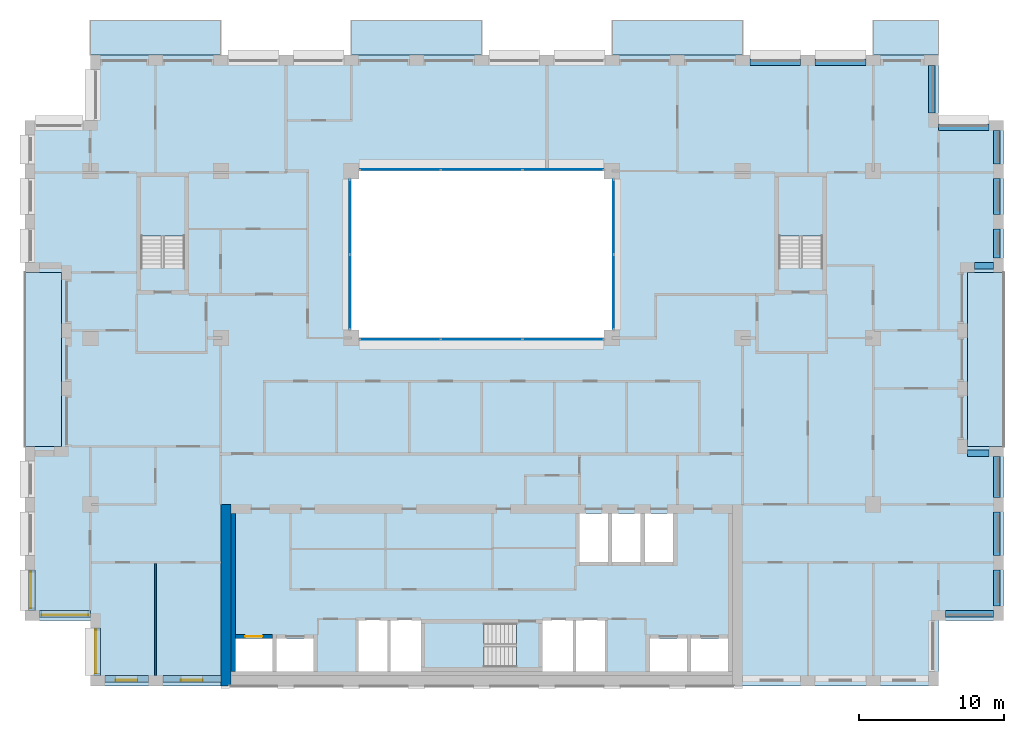
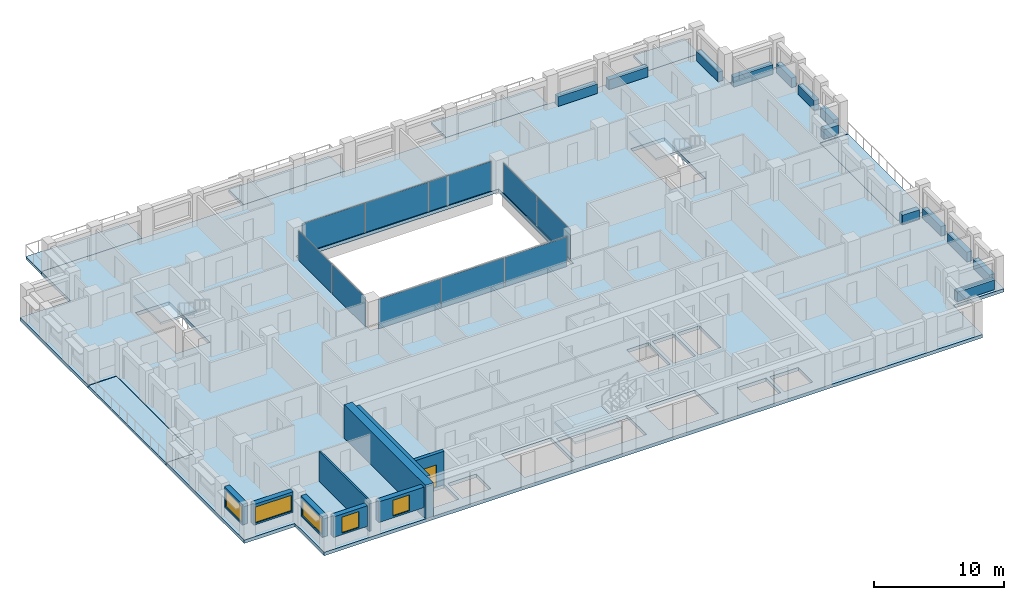
# One storey, part 7 of 16: 13 beams, 10 plates, 10 slabs, 9 walls, 5 windows, 1 door, 6 openings, 7 elements without a shape of their own.
"""IFC4 building model written with IfcOpenShell, lengths in metres."""

from ifc_helpers import new_model, si_unit, direction, frame, frame_2d, origin, origin_2d, place, context, subcontext, project, spatial, polyline, rectangle, outline, extrude, material, layer, layer_set, material_profile, profile_set, type_object, element, fill, aggregate, save


model = new_model("IFC4")

# Units and contexts
model_context = context("Model", 3, precision=1e-05, world=origin(), true_north=direction((0.0, 1.0)))
body_context = subcontext(model_context, "Body", "Model", "MODEL_VIEW")
ifc_project = project(units=[si_unit("LENGTHUNIT", "METRE"), si_unit("AREAUNIT", "SQUARE_METRE"), si_unit("VOLUMEUNIT", "CUBIC_METRE"), si_unit("PLANEANGLEUNIT", "RADIAN"), si_unit("MASSUNIT", "GRAM", prefix="KILO")], contexts=[model_context])

# Site, building, storey
site_placement = place(None, origin())
site = spatial("IfcSite", under=ifc_project, at=site_placement, CompositionType="ELEMENT")
building_placement = place(site_placement, origin())
building = spatial("IfcBuilding", under=site, at=building_placement, Name="Brigalow Station Residences", CompositionType="ELEMENT")
storey_placement = place(building_placement, frame((0.0, 0.0, 179.10009765625)))
storey = spatial("IfcBuildingStorey", under=building, at=storey_placement, Name="L52", CompositionType="ELEMENT", Elevation=179.10009765625)

# Beams
ifc_material_1 = material(Name="Concrete C50", Category="concrete")
ifc_material_profile = material_profile(ifc_material_1, rectangle(XDim=0.449951171875, YDim=0.89990234375, at=origin_2d()), Name="RC450x900")
ifc_profile_set = profile_set([ifc_material_profile], Name="Concrete C50")
beam_type = type_object("IfcBeamType", Name="SPANDREL BEAM 450x900 C50", PredefinedType="SPANDREL", material=ifc_profile_set)
beam_1_placement = place(storey_placement, frame((68.0, 4.97509765625, 0.449951171875), z_axis=(1.0, 0.0, 0.0), x_axis=(0.0, 1.0, 0.0)))
element("IfcBeam", 1, at=beam_1_placement, inside=storey, type_object=beam_type, Name="L52/spandrel/W-L52-8", PredefinedType="SPANDREL", context=body_context, shape_type="SweptSolid", body=[
    extrude(rectangle(XDim=0.449951171875, YDim=0.89990234375, at=origin_2d()), origin(), (0.0, 0.0, 1.0), 3.300048828125),
])
beam_2_placement = place(storey_placement, frame((71.52490234375, 5.5, 0.449951171875), z_axis=(0.0, 1.0, 0.0), x_axis=(-1.0, 0.0, 0.0)))
element("IfcBeam", 2, at=beam_2_placement, inside=storey, type_object=beam_type, Name="L52/spandrel/W-L52-9", PredefinedType="SPANDREL", context=body_context, shape_type="SweptSolid", body=[
    extrude(rectangle(XDim=0.449951171875, YDim=0.89990234375, at=origin_2d()), origin(), (0.0, 0.0, 1.0), 2.5),
])
beam_3_placement = place(storey_placement, frame((71.52490234375, 9.0, 0.449951171875), z_axis=(0.0, 1.0, 0.0), x_axis=(-1.0, 0.0, 0.0)))
element("IfcBeam", 3, at=beam_3_placement, inside=storey, type_object=beam_type, Name="L52/spandrel/W-L52-10", PredefinedType="SPANDREL", context=body_context, shape_type="SweptSolid", body=[
    extrude(rectangle(XDim=0.449951171875, YDim=0.89990234375, at=origin_2d()), origin(), (0.0, 0.0, 1.0), 3.0),
])
beam_4_placement = place(storey_placement, frame((71.52490234375, 13.0, 0.449951171875), z_axis=(0.0, 1.0, 0.0), x_axis=(-1.0, 0.0, 0.0)))
element("IfcBeam", 4, at=beam_4_placement, inside=storey, type_object=beam_type, Name="L52/spandrel/W-L52-11", PredefinedType="SPANDREL", context=body_context, shape_type="SweptSolid", body=[
    extrude(rectangle(XDim=0.449951171875, YDim=0.89990234375, at=origin_2d()), origin(), (0.0, 0.0, 1.0), 2.800048828125),
])
beam_5_placement = place(storey_placement, frame((71.0, 16.02490234375, 0.449951171875), z_axis=(-1.0, 0.0, 0.0), x_axis=(0.0, -1.0, 0.0)))
element("IfcBeam", 5, at=beam_5_placement, inside=storey, type_object=beam_type, Name="L52/spandrel/W-L52-12", PredefinedType="SPANDREL", context=body_context, shape_type="SweptSolid", body=[
    extrude(rectangle(XDim=0.449951171875, YDim=0.89990234375, at=origin_2d()), origin(), (0.0, 0.0, 1.0), 1.5),
])
beam_6_placement = place(storey_placement, frame((70.0, 28.97509765625, 0.449951171875), z_axis=(1.0, 0.0, 0.0), x_axis=(0.0, 1.0, 0.0)))
element("IfcBeam", 6, at=beam_6_placement, inside=storey, type_object=beam_type, Name="L52/spandrel/W-L52-16", PredefinedType="SPANDREL", context=body_context, shape_type="SweptSolid", body=[
    extrude(rectangle(XDim=0.449951171875, YDim=0.89990234375, at=origin_2d()), origin(), (0.0, 0.0, 1.0), 1.300048828125),
])
beam_7_placement = place(storey_placement, frame((71.52490234375, 29.5, 0.449951171875), z_axis=(0.0, 1.0, 0.0), x_axis=(-1.0, 0.0, 0.0)))
element("IfcBeam", 7, at=beam_7_placement, inside=storey, type_object=beam_type, Name="L52/spandrel/W-L52-17", PredefinedType="SPANDREL", context=body_context, shape_type="SweptSolid", body=[
    extrude(rectangle(XDim=0.449951171875, YDim=0.89990234375, at=origin_2d()), origin(), (0.0, 0.0, 1.0), 2.0),
])
beam_8_placement = place(storey_placement, frame((71.52490234375, 32.5, 0.449951171875), z_axis=(0.0, 1.0, 0.0), x_axis=(-1.0, 0.0, 0.0)))
element("IfcBeam", 8, at=beam_8_placement, inside=storey, type_object=beam_type, Name="L52/spandrel/W-L52-18", PredefinedType="SPANDREL", context=body_context, shape_type="SweptSolid", body=[
    extrude(rectangle(XDim=0.449951171875, YDim=0.89990234375, at=origin_2d()), origin(), (0.0, 0.0, 1.0), 2.5),
])
beam_9_placement = place(storey_placement, frame((71.52490234375, 36.0, 0.449951171875), z_axis=(0.0, 1.0, 0.0), x_axis=(-1.0, 0.0, 0.0)))
element("IfcBeam", 9, at=beam_9_placement, inside=storey, type_object=beam_type, Name="L52/spandrel/W-L52-19", PredefinedType="SPANDREL", context=body_context, shape_type="SweptSolid", body=[
    extrude(rectangle(XDim=0.449951171875, YDim=0.89990234375, at=origin_2d()), origin(), (0.0, 0.0, 1.0), 2.300048828125),
])
beam_10_placement = place(storey_placement, frame((71.0, 38.52490234375, 0.449951171875), z_axis=(-1.0, 0.0, 0.0), x_axis=(0.0, -1.0, 0.0)))
element("IfcBeam", 10, at=beam_10_placement, inside=storey, type_object=beam_type, Name="L52/spandrel/W-L52-20", PredefinedType="SPANDREL", context=body_context, shape_type="SweptSolid", body=[
    extrude(rectangle(XDim=0.449951171875, YDim=0.89990234375, at=origin_2d()), origin(), (0.0, 0.0, 1.0), 3.5),
])
beam_11_placement = place(storey_placement, frame((67.02490234375, 39.5, 0.449951171875), z_axis=(0.0, 1.0, 0.0), x_axis=(-1.0, 0.0, 0.0)))
element("IfcBeam", 11, at=beam_11_placement, inside=storey, type_object=beam_type, Name="L52/spandrel/W-L52-21", PredefinedType="SPANDREL", context=body_context, shape_type="SweptSolid", body=[
    extrude(rectangle(XDim=0.449951171875, YDim=0.89990234375, at=origin_2d()), origin(), (0.0, 0.0, 1.0), 3.300048828125),
])
for number, where, z_axis, x_axis, name in (
    (12, (62.5, 43.02490234375, 0.449951171875), (-1.0, 0.0, 0.0), (0.0, -1.0, 0.0), "L52/spandrel/W-L52-23"),
    (13, (58.0, 43.02490234375, 0.449951171875), (-1.0, 0.0, 0.0), (0.0, -1.0, 0.0), "L52/spandrel/W-L52-24"),
):
    element("IfcBeam", number, at=place(storey_placement, frame(where, z_axis=z_axis, x_axis=x_axis)), inside=storey, type_object=beam_type, Name=name, PredefinedType="SPANDREL", context=body_context, shape_type="SweptSolid", body=[
        extrude(rectangle(XDim=0.449951171875, YDim=0.89990234375, at=origin_2d()), origin(), (0.0, 0.0, 1.0), 3.5),
    ])

# Curtain wall, plates
ifc_material_2 = material(Name="Aluminium", Category="aluminium")
ifc_layer_1 = layer(ifc_material_2, 0.14990234375)
ifc_layer_set_1 = layer_set([ifc_layer_1], Name="ATRIUM FIRE-RATED GLAZING CURTAIN WALL")
curtain_wall_type = type_object("IfcCurtainWallType", Name="ATRIUM FIRE-RATED GLAZING CURTAIN WALL", PredefinedType="NOTDEFINED", material=ifc_layer_set_1)
curtain_wall_1_placement = place(storey_placement, origin())
curtain_wall_1 = element("IfcCurtainWall", 14, at=curtain_wall_1_placement, inside=storey, type_object=curtain_wall_type, Name="L52/cw/atrium-S", PredefinedType="NOTDEFINED")
ifc_material_3 = material(Name="Fire-resisting laminated glazing, FRL -/60/-", Category="glass")
ifc_layer_2 = layer(ifc_material_3, 0.031982421875)
ifc_layer_set_2 = layer_set([ifc_layer_2], Name="ATRIUM FIRE-RATED GLAZING PANEL 32")
plate_type = type_object("IfcPlateType", Name="ATRIUM FIRE-RATED GLAZING PANEL 32", PredefinedType="CURTAIN_PANEL", material=ifc_layer_set_2)
plate_1_placement = place(storey_placement, frame((30.381591796875, 23.89990234375, 0.0), z_axis=(0.0, 0.0, 1.0), x_axis=(1.0, 0.0, 0.0)))
plate_1 = element("IfcPlate", 15, at=plate_1_placement, type_object=plate_type, Name="L52/cw/atrium-S/P00-00", PredefinedType="CURTAIN_PANEL", context=body_context, shape_type="SweptSolid", body=[
    extrude(rectangle(XDim=5.543212890625, YDim=0.031982421875, at=origin_2d()), origin(), (0.0, 0.0, 1.0), 2.77001953125),
])
plate_2_placement = place(storey_placement, frame((36.0, 23.89990234375, 0.0), z_axis=(0.0, 0.0, 1.0), x_axis=(1.0, 0.0, 0.0)))
plate_2 = element("IfcPlate", 16, at=plate_2_placement, type_object=plate_type, Name="L52/cw/atrium-S/P01-00", PredefinedType="CURTAIN_PANEL", context=body_context, shape_type="SweptSolid", body=[
    extrude(rectangle(XDim=5.5732421875, YDim=0.031982421875, at=origin_2d()), origin(), (0.0, 0.0, 1.0), 2.77001953125),
])
plate_3_placement = place(storey_placement, frame((41.618408203125, 23.89990234375, 0.0), z_axis=(0.0, 0.0, 1.0), x_axis=(1.0, 0.0, 0.0)))
plate_3 = element("IfcPlate", 17, at=plate_3_placement, type_object=plate_type, Name="L52/cw/atrium-S/P02-00", PredefinedType="CURTAIN_PANEL", context=body_context, shape_type="SweptSolid", body=[
    extrude(rectangle(XDim=5.543212890625, YDim=0.031982421875, at=origin_2d()), origin(), (0.0, 0.0, 1.0), 2.77001953125),
])
aggregate(curtain_wall_1, [plate_1, plate_2, plate_3])

curtain_wall_2_placement = place(storey_placement, origin())
curtain_wall_2 = element("IfcCurtainWall", 18, at=curtain_wall_2_placement, inside=storey, type_object=curtain_wall_type, Name="L52/cw/atrium-E", PredefinedType="NOTDEFINED")
plate_4_placement = place(storey_placement, frame((45.10009765625, 27.1650390625, 0.0), z_axis=(0.0, 0.0, 1.0), x_axis=(0.0, 1.0, 0.0)))
plate_4 = element("IfcPlate", 19, at=plate_4_placement, type_object=plate_type, Name="L52/cw/atrium-E/P00-00", PredefinedType="CURTAIN_PANEL", context=body_context, shape_type="SweptSolid", body=[
    extrude(rectangle(XDim=5.110107421875, YDim=0.031982421875, at=origin_2d()), origin(), (0.0, 0.0, 1.0), 2.77001953125),
])
plate_5_placement = place(storey_placement, frame((45.10009765625, 32.3349609375, 0.0), z_axis=(0.0, 0.0, 1.0), x_axis=(0.0, 1.0, 0.0)))
plate_5 = element("IfcPlate", 20, at=plate_5_placement, type_object=plate_type, Name="L52/cw/atrium-E/P01-00", PredefinedType="CURTAIN_PANEL", context=body_context, shape_type="SweptSolid", body=[
    extrude(rectangle(XDim=5.110107421875, YDim=0.031982421875, at=origin_2d()), origin(), (0.0, 0.0, 1.0), 2.77001953125),
])
aggregate(curtain_wall_2, [plate_4, plate_5])

curtain_wall_3_placement = place(storey_placement, origin())
curtain_wall_3 = element("IfcCurtainWall", 21, at=curtain_wall_3_placement, inside=storey, type_object=curtain_wall_type, Name="L52/cw/atrium-N", PredefinedType="NOTDEFINED")
plate_6_placement = place(storey_placement, frame((41.618408203125, 35.60009765625, 0.0), z_axis=(0.0, 0.0, 1.0), x_axis=(-1.0, 0.0, 0.0)))
plate_6 = element("IfcPlate", 22, at=plate_6_placement, type_object=plate_type, Name="L52/cw/atrium-N/P00-00", PredefinedType="CURTAIN_PANEL", context=body_context, shape_type="SweptSolid", body=[
    extrude(rectangle(XDim=5.543212890625, YDim=0.031982421875, at=origin_2d()), origin(), (0.0, 0.0, 1.0), 2.77001953125),
])
plate_7_placement = place(storey_placement, frame((36.0, 35.60009765625, 0.0), z_axis=(0.0, 0.0, 1.0), x_axis=(-1.0, 0.0, 0.0)))
plate_7 = element("IfcPlate", 23, at=plate_7_placement, type_object=plate_type, Name="L52/cw/atrium-N/P01-00", PredefinedType="CURTAIN_PANEL", context=body_context, shape_type="SweptSolid", body=[
    extrude(rectangle(XDim=5.5732421875, YDim=0.031982421875, at=origin_2d()), origin(), (0.0, 0.0, 1.0), 2.77001953125),
])
plate_8_placement = place(storey_placement, frame((30.381591796875, 35.60009765625, 0.0), z_axis=(0.0, 0.0, 1.0), x_axis=(-1.0, 0.0, 0.0)))
plate_8 = element("IfcPlate", 24, at=plate_8_placement, type_object=plate_type, Name="L52/cw/atrium-N/P02-00", PredefinedType="CURTAIN_PANEL", context=body_context, shape_type="SweptSolid", body=[
    extrude(rectangle(XDim=5.543212890625, YDim=0.031982421875, at=origin_2d()), origin(), (0.0, 0.0, 1.0), 2.77001953125),
])
aggregate(curtain_wall_3, [plate_6, plate_7, plate_8])

curtain_wall_4_placement = place(storey_placement, origin())
curtain_wall_4 = element("IfcCurtainWall", 25, at=curtain_wall_4_placement, inside=storey, type_object=curtain_wall_type, Name="L52/cw/atrium-W", PredefinedType="NOTDEFINED")
plate_9_placement = place(storey_placement, frame((26.89990234375, 32.3349609375, 0.0), z_axis=(0.0, 0.0, 1.0), x_axis=(0.0, -1.0, 0.0)))
plate_9 = element("IfcPlate", 26, at=plate_9_placement, type_object=plate_type, Name="L52/cw/atrium-W/P00-00", PredefinedType="CURTAIN_PANEL", context=body_context, shape_type="SweptSolid", body=[
    extrude(rectangle(XDim=5.110107421875, YDim=0.031982421875, at=origin_2d()), origin(), (0.0, 0.0, 1.0), 2.77001953125),
])
plate_10_placement = place(storey_placement, frame((26.89990234375, 27.1650390625, 0.0), z_axis=(0.0, 0.0, 1.0), x_axis=(0.0, -1.0, 0.0)))
plate_10 = element("IfcPlate", 27, at=plate_10_placement, type_object=plate_type, Name="L52/cw/atrium-W/P01-00", PredefinedType="CURTAIN_PANEL", context=body_context, shape_type="SweptSolid", body=[
    extrude(rectangle(XDim=5.110107421875, YDim=0.031982421875, at=origin_2d()), origin(), (0.0, 0.0, 1.0), 2.77001953125),
])
aggregate(curtain_wall_4, [plate_9, plate_10])

# Slabs
ifc_material_4 = material(Name="Concrete C50 precast", Category="concrete")
ifc_layer_3 = layer(ifc_material_4, 0.25)
ifc_layer_set_3 = layer_set([ifc_layer_3], Name="BALCONY SLAB 250")
slab_type_1 = type_object("IfcSlabType", Name="BALCONY SLAB 250", PredefinedType="USERDEFINED", material=ifc_layer_set_3)
slab_1_placement = place(storey_placement, frame((0.0, 0.0, -0.2900390625)))
element("IfcSlab", 28, at=slab_1_placement, inside=storey, type_object=slab_type_1, Name="L52/balcony/1", ObjectType="BALCONY", PredefinedType="USERDEFINED", context=body_context, shape_type="SweptSolid", body=[
    extrude(outline(polyline([(69.5, 16.5), (72.0, 16.5), (72.0, 28.5), (69.5, 28.5), (69.5, 16.5)])), origin(), (0.0, 0.0, 1.0), 0.25),
])
slab_2_placement = place(storey_placement, frame((0.0, 0.0, -0.2900390625)))
element("IfcSlab", 29, at=slab_2_placement, inside=storey, type_object=slab_type_1, Name="L52/balcony/2", ObjectType="BALCONY", PredefinedType="USERDEFINED", context=body_context, shape_type="SweptSolid", body=[
    extrude(outline(polyline([(67.5, 43.5), (67.5, 45.89990234375), (63.0, 45.89990234375), (63.0, 43.5), (67.5, 43.5)])), origin(), (0.0, 0.0, 1.0), 0.25),
])
slab_3_placement = place(storey_placement, frame((0.0, 0.0, -0.2900390625)))
element("IfcSlab", 30, at=slab_3_placement, inside=storey, type_object=slab_type_1, Name="L52/balcony/3", ObjectType="BALCONY", PredefinedType="USERDEFINED", context=body_context, shape_type="SweptSolid", body=[
    extrude(outline(polyline([(54.0, 43.5), (54.0, 45.89990234375), (45.0, 45.89990234375), (45.0, 43.5), (54.0, 43.5)])), origin(), (0.0, 0.0, 1.0), 0.25),
])
slab_4_placement = place(storey_placement, frame((0.0, 0.0, -0.2900390625)))
element("IfcSlab", 31, at=slab_4_placement, inside=storey, type_object=slab_type_1, Name="L52/balcony/4", ObjectType="BALCONY", PredefinedType="USERDEFINED", context=body_context, shape_type="SweptSolid", body=[
    extrude(outline(polyline([(36.0, 43.5), (36.0, 45.89990234375), (27.0, 45.89990234375), (27.0, 43.5), (36.0, 43.5)])), origin(), (0.0, 0.0, 1.0), 0.25),
])
slab_5_placement = place(storey_placement, frame((0.0, 0.0, -0.2900390625)))
element("IfcSlab", 32, at=slab_5_placement, inside=storey, type_object=slab_type_1, Name="L52/balcony/5", ObjectType="BALCONY", PredefinedType="USERDEFINED", context=body_context, shape_type="SweptSolid", body=[
    extrude(outline(polyline([(18.0, 43.5), (18.0, 45.89990234375), (9.0, 45.89990234375), (9.0, 43.5), (18.0, 43.5)])), origin(), (0.0, 0.0, 1.0), 0.25),
])
slab_6_placement = place(storey_placement, frame((0.0, 0.0, -0.2900390625)))
element("IfcSlab", 33, at=slab_6_placement, inside=storey, type_object=slab_type_1, Name="L52/balcony/6", ObjectType="BALCONY", PredefinedType="USERDEFINED", context=body_context, shape_type="SweptSolid", body=[
    extrude(outline(polyline([(7.0, 28.5), (4.5, 28.5), (4.5, 16.5), (7.0, 16.5), (7.0, 28.5)])), origin(), (0.0, 0.0, 1.0), 0.25),
])
ifc_material_5 = material(Name="Concrete C50", Category="concrete")
ifc_layer_4 = layer(ifc_material_5, 0.320068359375)
ifc_layer_set_4 = layer_set([ifc_layer_4], Name="POST-TENSIONED FLAT PLATE 320 C50")
slab_type_2 = type_object("IfcSlabType", Name="POST-TENSIONED FLAT PLATE 320 C50", PredefinedType="FLOOR", material=ifc_layer_set_4)
slab_7_placement = place(storey_placement, frame((0.0, 0.0, -0.320068359375)))
element("IfcSlab", 34, at=slab_7_placement, inside=storey, type_object=slab_type_2, Name="FLOOR SLAB L52", PredefinedType="FLOOR", context=body_context, shape_type="SweptSolid", body=[
    extrude(outline(polyline([(9.0, 0.0), (67.5, 0.0), (67.5, 4.5), (72.0, 4.5), (72.0, 16.5), (69.5, 16.5), (69.5, 28.5), (72.0, 28.5), (72.0, 39.0), (67.5, 39.0), (67.5, 43.5), (9.0, 43.5), (9.0, 39.0), (4.5, 39.0), (4.5, 28.5), (7.0, 28.5), (7.0, 16.5), (4.5, 16.5), (4.5, 4.5), (9.0, 4.5), (9.0, 0.0)]), holes=[polyline([(12.5048828125, 35.094970703125), (15.4951171875, 35.094970703125), (15.4951171875, 28.804931640625), (12.5048828125, 28.804931640625), (12.5048828125, 35.094970703125)]), polyline([(19.0, 1.0), (19.0, 3.25), (21.550048828125, 3.25), (21.550048828125, 1.0), (19.0, 1.0)]), polyline([(21.85009765625, 3.25), (24.39990234375, 3.25), (24.39990234375, 1.0), (21.85009765625, 1.0), (21.85009765625, 3.25)]), polyline([(27.0, 35.5), (45.0, 35.5), (45.0, 24.0), (27.0, 24.0), (27.0, 35.5)]), polyline([(29.60009765625, 4.60009765625), (31.800048828125, 4.60009765625), (31.800048828125, 1.0), (29.60009765625, 1.0), (27.39990234375, 1.0), (27.39990234375, 4.60009765625), (29.60009765625, 4.60009765625)]), polyline([(32.10498046875, 4.294921875), (38.39501953125, 4.294921875), (38.39501953125, 1.304931640625), (32.10498046875, 1.304931640625), (32.10498046875, 4.294921875)]), polyline([(40.199951171875, 4.60009765625), (42.39990234375, 4.60009765625), (44.60009765625, 4.60009765625), (44.60009765625, 1.0), (42.39990234375, 1.0), (40.199951171875, 1.0), (40.199951171875, 4.60009765625)]), polyline([(42.75, 11.89990234375), (44.699951171875, 11.89990234375), (44.699951171875, 8.550048828125), (42.75, 8.550048828125), (42.75, 11.89990234375)]), polyline([(45.0, 11.89990234375), (46.949951171875, 11.89990234375), (46.949951171875, 8.550048828125), (45.0, 8.550048828125), (45.0, 11.89990234375)]), polyline([(47.25, 11.89990234375), (49.199951171875, 11.89990234375), (49.199951171875, 8.550048828125), (47.25, 8.550048828125), (47.25, 11.89990234375)]), polyline([(47.60009765625, 3.25), (50.14990234375, 3.25), (50.14990234375, 1.0), (47.60009765625, 1.0), (47.60009765625, 3.25)]), polyline([(50.449951171875, 3.25), (53.0, 3.25), (53.0, 1.0), (50.449951171875, 1.0), (50.449951171875, 3.25)]), polyline([(56.5048828125, 35.094970703125), (59.4951171875, 35.094970703125), (59.4951171875, 28.804931640625), (56.5048828125, 28.804931640625), (56.5048828125, 35.094970703125)])]), origin(), (0.0, 0.0, 1.0), 0.320068359375),
])

# Stair, slab
ifc_material_6 = material(Name="Concrete C50", Category="concrete")
stair_type = type_object("IfcStairType", Name="EXIT STAIR 1400 2 FLIGHT", PredefinedType="HALF_TURN_STAIR", material=ifc_material_6)
stair_1_placement = place(storey_placement, origin())
stair_1 = element("IfcStair", 35, at=stair_1_placement, inside=storey, type_object=stair_type, Name="EXIT STAIR S2 L52", PredefinedType="HALF_TURN_STAIR")
ifc_material_7 = material(Name="Concrete C50", Category="concrete")
ifc_layer_5 = layer(ifc_material_7, 0.199951171875)
ifc_layer_set_5 = layer_set([ifc_layer_5], Name="STAIR LANDING 200")
slab_type_3 = type_object("IfcSlabType", Name="STAIR LANDING 200", PredefinedType="LANDING", material=ifc_layer_set_5)
slab_8_placement = place(storey_placement, frame((0.0, 0.0, 1.375)))
slab_8 = element("IfcSlab", 36, at=slab_8_placement, type_object=slab_type_3, Name="ST-2 landing 1", PredefinedType="LANDING", context=body_context, shape_type="SweptSolid", body=[
    extrude(outline(polyline([(32.0, 1.199951171875), (36.159912109375, 1.199951171875), (36.159912109375, 4.39990234375), (32.0, 4.39990234375), (32.0, 1.199951171875)])), origin(), (0.0, 0.0, 1.0), 0.199951171875),
])
aggregate(stair_1, [slab_8])

stair_2_placement = place(storey_placement, origin())
stair_2 = element("IfcStair", 37, at=stair_2_placement, inside=storey, type_object=stair_type, Name="EXIT STAIR S1 L52", PredefinedType="HALF_TURN_STAIR")
slab_9_placement = place(storey_placement, frame((0.0, 0.0, 1.375)))
slab_9 = element("IfcSlab", 38, at=slab_9_placement, type_object=slab_type_3, Name="ST-1 landing 1", PredefinedType="LANDING", context=body_context, shape_type="SweptSolid", body=[
    extrude(outline(polyline([(12.39990234375, 31.0400390625), (15.60009765625, 31.0400390625), (15.60009765625, 35.199951171875), (12.39990234375, 35.199951171875), (12.39990234375, 31.0400390625)])), origin(), (0.0, 0.0, 1.0), 0.199951171875),
])
aggregate(stair_2, [slab_9])

stair_3_placement = place(storey_placement, origin())
stair_3 = element("IfcStair", 39, at=stair_3_placement, inside=storey, type_object=stair_type, Name="EXIT STAIR S3 L52", PredefinedType="HALF_TURN_STAIR")
slab_10_placement = place(storey_placement, frame((0.0, 0.0, 1.375)))
slab_10 = element("IfcSlab", 40, at=slab_10_placement, type_object=slab_type_3, Name="ST-3 landing 1", PredefinedType="LANDING", context=body_context, shape_type="SweptSolid", body=[
    extrude(outline(polyline([(56.39990234375, 31.0400390625), (59.60009765625, 31.0400390625), (59.60009765625, 35.199951171875), (56.39990234375, 35.199951171875), (56.39990234375, 31.0400390625)])), origin(), (0.0, 0.0, 1.0), 0.199951171875),
])
aggregate(stair_3, [slab_10])

# Wall, opening, window
ifc_material_8 = material(Name="Clay brick masonry", Category="masonry")
ifc_layer_6 = layer(ifc_material_8, 0.449951171875)
ifc_layer_set_6 = layer_set([ifc_layer_6], Name="BRICK INFILL WALL 450")
wall_type_1 = type_object("IfcWallType", Name="BRICK INFILL WALL 450", PredefinedType="SOLIDWALL", material=ifc_layer_set_6)
wall_1_placement = place(storey_placement, frame((10.0, 0.47509765625, 0.89990234375), z_axis=(0.0, 0.0, 1.0), x_axis=(1.0, 0.0, 0.0)))
wall_1 = element("IfcWall", 41, at=wall_1_placement, inside=storey, type_object=wall_type_1, Name="L52/ewall/W-L52-1", PredefinedType="SOLIDWALL", context=body_context, shape_type="SweptSolid", body=[
    extrude(rectangle(XDim=3.0, YDim=0.449951171875, at=frame_2d((1.5, 0.0))), origin(), (0.0, 0.0, 1.0), 1.929931640625),
])
opening_1_placement = place(wall_1_placement, frame((0.75, 0.0, 0.14990234375)))
opening_1 = element("IfcOpeningElement", 42, at=opening_1_placement, cuts=wall_1, Name="Opening WT-1", PredefinedType="OPENING", context=body_context, shape_type="SweptSolid", body=[
    extrude(rectangle(XDim=1.5, YDim=1.5, at=frame_2d((0.75, 0.75))), frame((0.0, 0.23486328125, 0.0), z_axis=(0.0, -1.0, 0.0), x_axis=(1.0, 0.0, 0.0)), (0.0, 0.0, 1.0), 0.469970703125),
])
ifc_material_9 = material(Name="Anodised aluminium frame with double glazing", Category="aluminium")
window_type_1 = type_object("IfcWindowType", Name="WINDOW 1500x1500", PartitioningType="SINGLE_PANEL", PredefinedType="WINDOW", material=ifc_material_9)
window_1_placement = place(opening_1_placement, origin())
window_1 = element("IfcWindow", 43, at=window_1_placement, inside=storey, type_object=window_type_1, Name="L52/window/W-L52-1", OverallHeight=1.5, OverallWidth=1.5, PartitioningType="SINGLE_PANEL", PredefinedType="WINDOW", context=body_context, shape_type="SweptSolid", body=[
    extrude(rectangle(XDim=1.5, YDim=1.5, at=frame_2d((0.75, 0.75))), frame((0.0, -0.06494140625, 0.0), z_axis=(0.0, -1.0, 0.0), x_axis=(1.0, 0.0, 0.0)), (0.0, 0.0, 1.0), 0.06005859375),
])
fill(opening_1, window_1)

wall_2_placement = place(storey_placement, frame((14.0, 0.47509765625, 0.89990234375), z_axis=(0.0, 0.0, 1.0), x_axis=(1.0, 0.0, 0.0)))
wall_2 = element("IfcWall", 44, at=wall_2_placement, inside=storey, type_object=wall_type_1, Name="L52/ewall/W-L52-2", PredefinedType="SOLIDWALL", context=body_context, shape_type="SweptSolid", body=[
    extrude(rectangle(XDim=4.0, YDim=0.449951171875, at=frame_2d((2.0, 0.0))), origin(), (0.0, 0.0, 1.0), 1.929931640625),
])
opening_2_placement = place(wall_2_placement, frame((1.25, 0.0, 0.14990234375)))
opening_2 = element("IfcOpeningElement", 45, at=opening_2_placement, cuts=wall_2, Name="Opening WT-1", PredefinedType="OPENING", context=body_context, shape_type="SweptSolid", body=[
    extrude(rectangle(XDim=1.5, YDim=1.5, at=frame_2d((0.75, 0.75))), frame((0.0, 0.23486328125, 0.0), z_axis=(0.0, -1.0, 0.0), x_axis=(1.0, 0.0, 0.0)), (0.0, 0.0, 1.0), 0.469970703125),
])
window_2_placement = place(opening_2_placement, origin())
window_2 = element("IfcWindow", 46, at=window_2_placement, inside=storey, type_object=window_type_1, Name="L52/window/W-L52-2", OverallHeight=1.5, OverallWidth=1.5, PartitioningType="SINGLE_PANEL", PredefinedType="WINDOW", context=body_context, shape_type="SweptSolid", body=[
    extrude(rectangle(XDim=1.5, YDim=1.5, at=frame_2d((0.75, 0.75))), frame((0.0, -0.06494140625, 0.0), z_axis=(0.0, -1.0, 0.0), x_axis=(1.0, 0.0, 0.0)), (0.0, 0.0, 1.0), 0.06005859375),
])
fill(opening_2, window_2)

wall_3_placement = place(storey_placement, frame((4.97509765625, 8.0, 0.89990234375), z_axis=(0.0, 0.0, 1.0), x_axis=(0.0, -1.0, 0.0)))
wall_3 = element("IfcWall", 47, at=wall_3_placement, inside=storey, type_object=wall_type_1, Name="L52/ewall/W-L52-47", PredefinedType="SOLIDWALL", context=body_context, shape_type="SweptSolid", body=[
    extrude(rectangle(XDim=2.800048828125, YDim=0.449951171875, at=frame_2d((1.39990234375, 0.0))), origin(), (0.0, 0.0, 1.0), 1.929931640625),
])
opening_3_placement = place(wall_3_placement, frame((0.14990234375, 0.0, 0.14990234375)))
opening_3 = element("IfcOpeningElement", 48, at=opening_3_placement, cuts=wall_3, Name="Opening WT-5", PredefinedType="OPENING", context=body_context, shape_type="SweptSolid", body=[
    extrude(rectangle(XDim=2.5, YDim=1.5, at=frame_2d((1.25, 0.75))), frame((0.0, 0.23486328125, 0.0), z_axis=(0.0, -1.0, 0.0), x_axis=(1.0, 0.0, 0.0)), (0.0, 0.0, 1.0), 0.469970703125),
])
ifc_material_10 = material(Name="Anodised aluminium frame with double glazing", Category="aluminium")
window_type_2 = type_object("IfcWindowType", Name="WINDOW 2500x1500", PartitioningType="SINGLE_PANEL", PredefinedType="WINDOW", material=ifc_material_10)
window_3_placement = place(opening_3_placement, origin())
window_3 = element("IfcWindow", 49, at=window_3_placement, inside=storey, type_object=window_type_2, Name="L52/window/W-L52-47", OverallHeight=1.5, OverallWidth=2.5, PartitioningType="SINGLE_PANEL", PredefinedType="WINDOW", context=body_context, shape_type="SweptSolid", body=[
    extrude(rectangle(XDim=2.5, YDim=1.5, at=frame_2d((1.25, 0.75))), frame((0.0, -0.06494140625, 0.0), z_axis=(0.0, -1.0, 0.0), x_axis=(1.0, 0.0, 0.0)), (0.0, 0.0, 1.0), 0.06005859375),
])
fill(opening_3, window_3)

wall_4_placement = place(storey_placement, frame((5.5, 4.97509765625, 0.89990234375), z_axis=(0.0, 0.0, 1.0), x_axis=(1.0, 0.0, 0.0)))
wall_4 = element("IfcWall", 50, at=wall_4_placement, inside=storey, type_object=wall_type_1, Name="L52/ewall/W-L52-48", PredefinedType="SOLIDWALL", context=body_context, shape_type="SweptSolid", body=[
    extrude(rectangle(XDim=3.5, YDim=0.449951171875, at=frame_2d((1.75, 0.0))), origin(), (0.0, 0.0, 1.0), 1.929931640625),
])
opening_4_placement = place(wall_4_placement, frame((0.14990234375, 0.0, 0.14990234375)))
opening_4 = element("IfcOpeningElement", 51, at=opening_4_placement, cuts=wall_4, Name="Opening WT-9", PredefinedType="OPENING", context=body_context, shape_type="SweptSolid", body=[
    extrude(rectangle(XDim=3.199951171875, YDim=1.5, at=frame_2d((1.60009765625, 0.75))), frame((0.0, 0.23486328125, 0.0), z_axis=(0.0, -1.0, 0.0), x_axis=(1.0, 0.0, 0.0)), (0.0, 0.0, 1.0), 0.469970703125),
])
ifc_material_11 = material(Name="Anodised aluminium frame with double glazing", Category="aluminium")
window_type_3 = type_object("IfcWindowType", Name="WINDOW 3200x1500", PartitioningType="SINGLE_PANEL", PredefinedType="WINDOW", material=ifc_material_11)
window_4_placement = place(opening_4_placement, origin())
window_4 = element("IfcWindow", 52, at=window_4_placement, inside=storey, type_object=window_type_3, Name="L52/window/W-L52-48", OverallHeight=1.5, OverallWidth=3.199951171875, PartitioningType="SINGLE_PANEL", PredefinedType="WINDOW", context=body_context, shape_type="SweptSolid", body=[
    extrude(rectangle(XDim=3.199951171875, YDim=1.5, at=frame_2d((1.60009765625, 0.75))), frame((0.0, -0.06494140625, 0.0), z_axis=(0.0, -1.0, 0.0), x_axis=(1.0, 0.0, 0.0)), (0.0, 0.0, 1.0), 0.06005859375),
])
fill(opening_4, window_4)

wall_5_placement = place(storey_placement, frame((9.47509765625, 4.0, 0.89990234375), z_axis=(0.0, 0.0, 1.0), x_axis=(0.0, -1.0, 0.0)))
wall_5 = element("IfcWall", 53, at=wall_5_placement, inside=storey, type_object=wall_type_1, Name="L52/ewall/W-L52-49", PredefinedType="SOLIDWALL", context=body_context, shape_type="SweptSolid", body=[
    extrude(rectangle(XDim=3.300048828125, YDim=0.449951171875, at=frame_2d((1.64990234375, 0.0))), origin(), (0.0, 0.0, 1.0), 1.929931640625),
])
opening_5_placement = place(wall_5_placement, frame((0.14990234375, 0.0, 0.14990234375)))
opening_5 = element("IfcOpeningElement", 54, at=opening_5_placement, cuts=wall_5, Name="Opening WT-2", PredefinedType="OPENING", context=body_context, shape_type="SweptSolid", body=[
    extrude(rectangle(XDim=3.0, YDim=1.5, at=frame_2d((1.5, 0.75))), frame((0.0, 0.23486328125, 0.0), z_axis=(0.0, -1.0, 0.0), x_axis=(1.0, 0.0, 0.0)), (0.0, 0.0, 1.0), 0.469970703125),
])
ifc_material_12 = material(Name="Anodised aluminium frame with double glazing", Category="aluminium")
window_type_4 = type_object("IfcWindowType", Name="WINDOW 3000x1500", PartitioningType="SINGLE_PANEL", PredefinedType="WINDOW", material=ifc_material_12)
window_5_placement = place(opening_5_placement, origin())
window_5 = element("IfcWindow", 55, at=window_5_placement, inside=storey, type_object=window_type_4, Name="L52/window/W-L52-49", OverallHeight=1.5, OverallWidth=3.0, PartitioningType="SINGLE_PANEL", PredefinedType="WINDOW", context=body_context, shape_type="SweptSolid", body=[
    extrude(rectangle(XDim=3.0, YDim=1.5, at=frame_2d((1.5, 0.75))), frame((0.0, -0.06494140625, 0.0), z_axis=(0.0, -1.0, 0.0), x_axis=(1.0, 0.0, 0.0)), (0.0, 0.0, 1.0), 0.06005859375),
])
fill(opening_5, window_5)

# Wall
ifc_material_13 = material(Name="Concrete C65", Category="concrete")
ifc_layer_7 = layer(ifc_material_13, 0.300048828125)
ifc_layer_set_7 = layer_set([ifc_layer_7], Name="CORE SHEAR WALL 300 C65")
wall_type_2 = type_object("IfcWallType", Name="CORE SHEAR WALL 300 C65", PredefinedType="SHEAR", material=ifc_layer_set_7)
wall_6_placement = place(storey_placement, frame((18.85009765625, 1.0, 0.0), z_axis=(0.0, 0.0, 1.0), x_axis=(0.0, 1.0, 0.0)))
element("IfcWall", 56, at=wall_6_placement, inside=storey, type_object=wall_type_2, Name="CORE WALL LIN-W L52", PredefinedType="SHEAR", context=body_context, shape_type="SweptSolid", body=[
    extrude(rectangle(XDim=10.89990234375, YDim=0.300048828125, at=frame_2d((5.449951171875, 0.0))), origin(), (0.0, 0.0, 1.0), 3.14990234375),
])

# Wall, opening, door
wall_7_placement = place(storey_placement, frame((19.0, 3.39990234375, 0.0), z_axis=(0.0, 0.0, 1.0), x_axis=(1.0, 0.0, 0.0)))
wall_7 = element("IfcWall", 57, at=wall_7_placement, inside=storey, type_object=wall_type_2, Name="CORE WALL SH-C1-N L52", PredefinedType="SHEAR", context=body_context, shape_type="SweptSolid", body=[
    extrude(rectangle(XDim=2.550048828125, YDim=0.300048828125, at=frame_2d((1.27490234375, 0.0))), origin(), (0.0, 0.0, 1.0), 3.14990234375),
])
opening_6_placement = place(wall_7_placement, frame((0.675048828125, 0.0, 0.0)))
opening_6 = element("IfcOpeningElement", 58, at=opening_6_placement, cuts=wall_7, Name="Opening LD-LB1", PredefinedType="OPENING", context=body_context, shape_type="SweptSolid", body=[
    extrude(rectangle(XDim=1.199951171875, YDim=2.10009765625, at=frame_2d((0.60009765625, 1.050048828125))), frame((0.0, 0.16015625, 0.0), z_axis=(0.0, -1.0, 0.0), x_axis=(1.0, 0.0, 0.0)), (0.0, 0.0, 1.0), 0.320068359375),
])
ifc_material_14 = material(Name="Stainless steel sliding door leaves", Category="steel")
door_type = type_object("IfcDoorType", Name="LIFT LANDING DOOR 1200 x 2100", OperationType="DOUBLE_DOOR_SLIDING", PredefinedType="DOOR", material=ifc_material_14)
door_placement = place(opening_6_placement, origin())
door = element("IfcDoor", 59, at=door_placement, inside=storey, type_object=door_type, Name="LANDING DOOR LB1", OperationType="DOUBLE_DOOR_SLIDING", OverallHeight=2.10009765625, OverallWidth=1.199951171875, PredefinedType="DOOR", context=body_context, shape_type="SweptSolid", body=[
    extrude(rectangle(XDim=1.199951171875, YDim=2.10009765625, at=frame_2d((0.60009765625, 1.050048828125))), frame((0.0, 0.02490234375, 0.0), z_axis=(0.0, -1.0, 0.0), x_axis=(1.0, 0.0, 0.0)), (0.0, 0.0, 1.0), 0.050048828125),
])
fill(opening_6, door)

# Walls
ifc_material_15 = material(Name="Concrete C65", Category="concrete")
ifc_layer_8 = layer(ifc_material_15, 0.699951171875)
ifc_layer_set_8 = layer_set([ifc_layer_8], Name="CORE SHEAR WALL 700 C65")
wall_type_3 = type_object("IfcWallType", Name="CORE SHEAR WALL 700 C65", PredefinedType="SHEAR", material=ifc_layer_set_8)
wall_8_placement = place(storey_placement, frame((18.35009765625, 0.0, 0.0), z_axis=(0.0, 0.0, 1.0), x_axis=(0.0, 1.0, 0.0)))
element("IfcWall", 60, at=wall_8_placement, inside=storey, type_object=wall_type_3, Name="CORE WALL OUT-W L52", PredefinedType="SHEAR", context=body_context, shape_type="SweptSolid", body=[
    extrude(rectangle(XDim=12.5, YDim=0.699951171875, at=frame_2d((6.25, 0.0))), origin(), (0.0, 0.0, 1.0), 3.14990234375),
])
ifc_material_16 = material(Name="Plasterboard on steel stud partition", Category="steel")
ifc_layer_9 = layer(ifc_material_16, 0.14990234375)
ifc_layer_set_9 = layer_set([ifc_layer_9], Name="FLAT PARTITION 150")
wall_type_4 = type_object("IfcWallType", Name="FLAT PARTITION 150", PredefinedType="PARTITIONING", material=ifc_layer_set_9)
wall_9_placement = place(storey_placement, frame((13.5, 0.699951171875, 0.0), z_axis=(0.0, 0.0, 1.0), x_axis=(0.0, 1.0, 0.0)))
element("IfcWall", 61, at=wall_9_placement, inside=storey, type_object=wall_type_4, Name="PW-3F40", PredefinedType="PARTITIONING", context=body_context, shape_type="SweptSolid", body=[
    extrude(rectangle(XDim=7.72509765625, YDim=0.14990234375, at=frame_2d((3.862548828125, 0.0))), origin(), (0.0, 0.0, 1.0), 2.829833984375),
])

save(model, "model.ifc")
